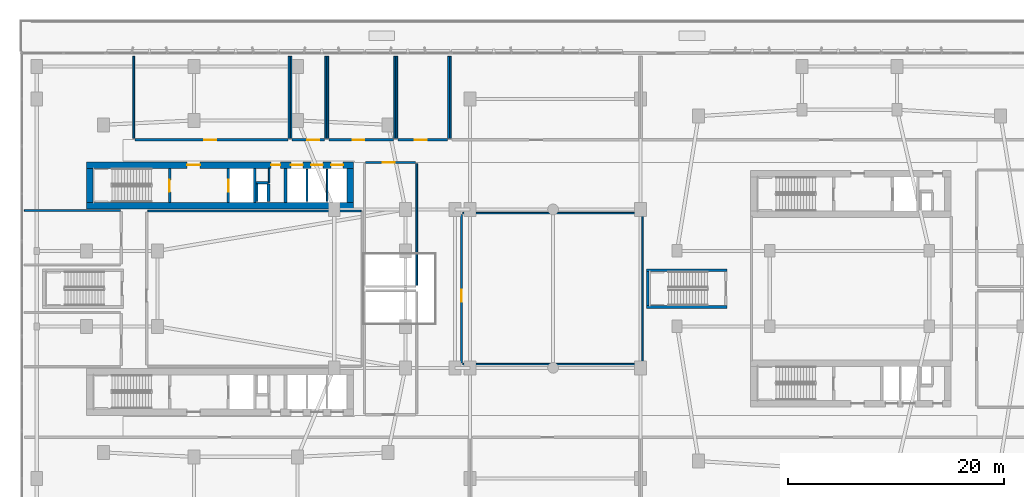
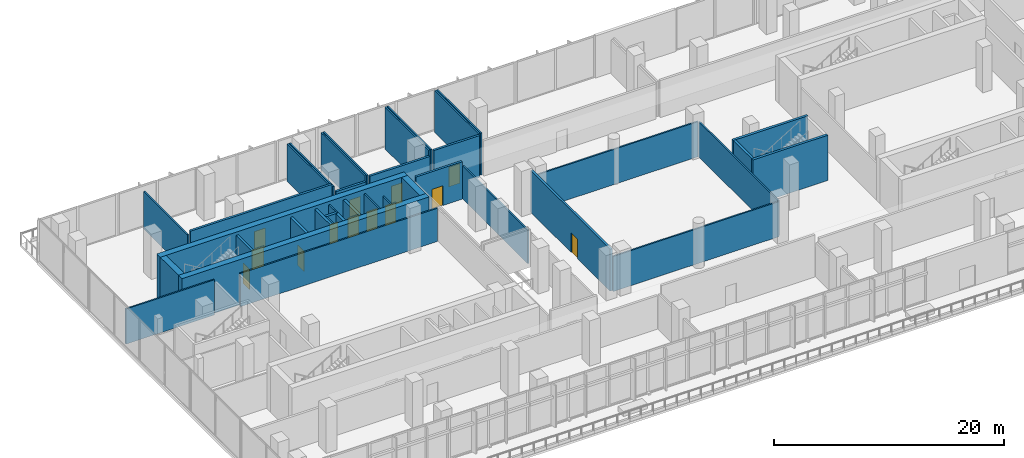
# One storey, part 13 of 30: 38 walls, 13 doors, 13 openings.
"""IFC4 building model written with IfcOpenShell, lengths in metres."""

import ifcopenshell
import ifcopenshell.guid

model = None  # the IFC model being written
_history = None  # IfcOwnerHistory: only IFC2X3 demands one
_inside = {}  # id of a spatial element -> (the spatial element, [elements in it])
_under = {}  # id of a project, library or spatial element -> (it, [spatial elements below it])
_declared = {}  # id of a project -> (the project, [libraries it declares])
_typed = {}  # id of a type object -> (the type object, [elements of that type])
_made_of = {}  # id of a material, layer set ... -> (it, [elements and type objects made of it])


def new_model(schema):
    """Start an empty IFC model of exactly this schema.

    Asked for "IFC4X3", IfcOpenShell would pick the latest addendum, in which some entities
    have other attributes; the version numbers below select the first issue.
    IFC2X3 requires an IfcOwnerHistory on every rooted entity: one is made here for all.
    """
    global model, _history
    if schema == "IFC4X3":
        model = ifcopenshell.file(schema_version=(4, 3, 0, 0))
    else:
        model = ifcopenshell.file(schema=schema)
    _inside.clear()
    _under.clear()
    _declared.clear()
    _typed.clear()
    _made_of.clear()
    _history = None
    if model.schema == "IFC2X3":
        org = make("IfcOrganization", Name="unknown")
        user = make(
            "IfcPersonAndOrganization",
            ThePerson=make("IfcPerson", FamilyName="unknown"),
            TheOrganization=org,
        )
        app = make(
            "IfcApplication",
            ApplicationDeveloper=org,
            Version="unknown",
            ApplicationFullName="unknown",
            ApplicationIdentifier="unknown",
        )
        _history = make(
            "IfcOwnerHistory",
            OwningUser=user,
            OwningApplication=app,
            ChangeAction="ADDED",
            CreationDate=0,
        )
    return model


def make(cls, **values):
    """One entity of the class cls with the attributes given. An attribute that is None is left unset."""
    return model.create_entity(
        cls, **{name: value for name, value in values.items() if value is not None}
    )


def rooted(cls, **values):
    """An entity with a GlobalId (a new one), such as an element, a storey or a relation."""
    return make(cls, GlobalId=ifcopenshell.guid.new(), OwnerHistory=_history, **values)


def si_unit(unit_type, name, prefix=None):
    """IfcSIUnit, for example si_unit("LENGTHUNIT", "METRE", prefix="MILLI")."""
    return make("IfcSIUnit", UnitType=unit_type, Prefix=prefix, Name=name)


def derived_unit(unit_type, elements):
    """IfcDerivedUnit: a product of units, each with its exponent."""
    return make(
        "IfcDerivedUnit",
        Elements=[
            make("IfcDerivedUnitElement", Unit=unit, Exponent=power)
            for unit, power in elements
        ],
        UnitType=unit_type,
    )


def assignment(units):
    """IfcUnitAssignment: the units of a project."""
    return None if units is None else make("IfcUnitAssignment", Units=units)


def point(xyz):
    """IfcCartesianPoint."""
    return None if xyz is None else make("IfcCartesianPoint", Coordinates=xyz)


def direction(xyz):
    """IfcDirection."""
    return None if xyz is None else make("IfcDirection", DirectionRatios=xyz)


def frame(location, z_axis=None, x_axis=None):
    """IfcAxis2Placement3D, a coordinate frame: its origin and axes. An axis left out is left unset."""
    return make(
        "IfcAxis2Placement3D",
        Location=point(location),
        Axis=direction(z_axis),
        RefDirection=direction(x_axis),
    )


def frame_2d(location, x_axis=None):
    """IfcAxis2Placement2D, a coordinate frame in the plane: its origin and x axis."""
    return make(
        "IfcAxis2Placement2D", Location=point(location), RefDirection=direction(x_axis)
    )


def origin():
    """The frame at (0, 0, 0) with its axes left unset."""
    return frame((0.0, 0.0, 0.0))


def place(relative_to, where):
    """IfcLocalPlacement: puts the frame where relative to a parent placement (None: the world)."""
    return make(
        "IfcLocalPlacement", PlacementRelTo=relative_to, RelativePlacement=where
    )


def context(
    kind, dimensions, precision=None, world=None, true_north=None, identifier=None
):
    """IfcGeometricRepresentationContext, for example the 3D "Model" context."""
    return make(
        "IfcGeometricRepresentationContext",
        ContextIdentifier=identifier,
        ContextType=kind,
        CoordinateSpaceDimension=dimensions,
        Precision=precision,
        WorldCoordinateSystem=world,
        TrueNorth=true_north,
    )


def subcontext(parent, identifier, kind, view, scale=None):
    """IfcGeometricRepresentationSubContext, for example "Body" below "Model"."""
    return make(
        "IfcGeometricRepresentationSubContext",
        ContextIdentifier=identifier,
        ContextType=kind,
        ParentContext=parent,
        TargetScale=scale,
        TargetView=view,
    )


def project(units=None, contexts=None):
    """IfcProject with its units and contexts."""
    return rooted(
        "IfcProject",
        Name="project",
        RepresentationContexts=contexts,
        UnitsInContext=assignment(units),
    )


def spatial(cls, under=None, at=None, **own):
    """A site, building, storey or space (cls), placed at a placement, below another one or the project."""
    s = rooted(cls, ObjectPlacement=at, **own)
    if under is not None:
        _under.setdefault(under.id(), (under, []))[1].append(s)
    return s


def profile(cls, at=None, kind="AREA", **sizes):
    """A parametric profile (cls). Its sizes go by their IFC names, for example OverallWidth=200.0."""
    return make(cls, ProfileType=kind, Position=at, **sizes)


def rectangle(**sizes):
    """IfcRectangleProfileDef."""
    return profile("IfcRectangleProfileDef", **sizes)


def extrude(swept, where, along, depth):
    """IfcExtrudedAreaSolid: the profile swept, set in the frame where, extruded along a direction by depth."""
    return make(
        "IfcExtrudedAreaSolid",
        SweptArea=swept,
        Position=where,
        ExtrudedDirection=direction(along),
        Depth=depth,
    )


def shape(context_of_items, identifier, shape_type, items):
    """IfcShapeRepresentation: the items that make up one representation, for example the "Body"."""
    return make(
        "IfcShapeRepresentation",
        ContextOfItems=context_of_items,
        RepresentationIdentifier=identifier,
        RepresentationType=shape_type,
        Items=items,
    )


def material(Name=None, Category=None):
    """IfcMaterial."""
    return make("IfcMaterial", Name=Name, Category=Category)


def layer(
    of_material, thickness, ventilated=None, Name=None, Category=None, Priority=None
):
    """IfcMaterialLayer: one layer of a wall or slab, of a material (None: an air gap)."""
    return make(
        "IfcMaterialLayer",
        Material=of_material,
        LayerThickness=thickness,
        IsVentilated=ventilated,
        Name=Name,
        Category=Category,
        Priority=Priority,
    )


def layer_set(layers, Name=None):
    """IfcMaterialLayerSet."""
    return make("IfcMaterialLayerSet", MaterialLayers=layers, LayerSetName=Name)


def made_of(thing, what):
    """Note that an element or type object is made of a material, layer set ...; save() writes the relation."""
    if what is not None:
        _made_of.setdefault(what.id(), (what, []))[1].append(thing)
    return thing


def type_object(cls, material=None, **own):
    """A type object (cls), such as IfcWallType, which elements share."""
    return made_of(rooted(cls, **own), material)


def element(
    cls,
    number,
    at=None,
    inside=None,
    cuts=None,
    type_object=None,
    material=None,
    context=None,
    identifier="Body",
    shape_type=None,
    held_by="IfcProductDefinitionShape",
    body=None,
    shapes=None,
    **own,
):
    """One element of the class cls, such as IfcWall. Its Tag is "e" and its number.

    at: its placement. inside: the storey or other place that contains it. cuts: it is an
    opening in that element (IfcRelVoidsElement). A single representation is given by context,
    identifier, shape_type and body (its items); several are given by shapes. held_by: the class
    of the entity that holds the representations. save() writes the other relations.
    """
    e = rooted(cls, Tag="e%d" % number, ObjectPlacement=at, **own)
    if body is not None:
        shapes = [shape(context, identifier, shape_type, body)]
    if shapes is not None:
        e.Representation = make(held_by, Representations=shapes)
    if inside is not None:
        _inside.setdefault(inside.id(), (inside, []))[1].append(e)
    if cuts is not None:
        rooted(
            "IfcRelVoidsElement", RelatingBuildingElement=cuts, RelatedOpeningElement=e
        )
    if type_object is not None:
        _typed.setdefault(type_object.id(), (type_object, []))[1].append(e)
    return made_of(e, material)


def fill(opening, filler):
    """IfcRelFillsElement: the door or window that sits in an opening."""
    return rooted(
        "IfcRelFillsElement",
        RelatingOpeningElement=opening,
        RelatedBuildingElement=filler,
    )


def aggregate(whole, parts):
    """IfcRelAggregates: a whole, such as a stair, and the parts it consists of."""
    return rooted("IfcRelAggregates", RelatingObject=whole, RelatedObjects=parts)


def save(model, path):
    """Write the relations noted so far, then the file.

    IfcRelAggregates (storeys below a building ...), IfcRelContainedInSpatialStructure (elements
    in a storey), IfcRelDefinesByType, IfcRelAssociatesMaterial and IfcRelDeclares: one each for
    every whole, place, type object, material and project.
    """
    for whole, parts in _under.values():
        aggregate(whole, parts)
    for where, things in _inside.values():
        rooted(
            "IfcRelContainedInSpatialStructure",
            RelatedElements=things,
            RelatingStructure=where,
        )
    for kind, things in _typed.values():
        rooted("IfcRelDefinesByType", RelatedObjects=things, RelatingType=kind)
    for what, things in _made_of.values():
        rooted("IfcRelAssociatesMaterial", RelatedObjects=things, RelatingMaterial=what)
    for by, libraries in _declared.values():
        rooted("IfcRelDeclares", RelatingContext=by, RelatedDefinitions=libraries)
    model.write(path)


model = new_model("IFC4")

# Units and contexts
model_context = context("Model", 3, precision=1e-05, world=origin(), true_north=direction((0.0, 1.0)))
body_context = subcontext(model_context, "Body", "Model", "MODEL_VIEW")
ifc_project = project(units=[si_unit("LENGTHUNIT", "METRE"), si_unit("AREAUNIT", "SQUARE_METRE"), si_unit("VOLUMEUNIT", "CUBIC_METRE"), si_unit("PLANEANGLEUNIT", "RADIAN"), si_unit("MASSUNIT", "GRAM", prefix="KILO"), derived_unit("THERMALTRANSMITTANCEUNIT", [(si_unit("POWERUNIT", "WATT"), 1), (si_unit("LENGTHUNIT", "METRE"), -2), (si_unit("THERMODYNAMICTEMPERATUREUNIT", "KELVIN"), -1)])], contexts=[model_context])

# Site, building, storey
site_placement = place(None, origin())
site = spatial("IfcSite", under=ifc_project, at=site_placement, CompositionType="ELEMENT")
building_placement = place(site_placement, origin())
building = spatial("IfcBuilding", under=site, at=building_placement, Name="Kivonza Crest Hotel", CompositionType="ELEMENT")
storey_placement = place(building_placement, frame((0.0, 0.0, 10.199951171875)))
storey = spatial("IfcBuildingStorey", under=building, at=storey_placement, Name="L02", CompositionType="ELEMENT", Elevation=10.199951171875)

# Wall, opening, door
ifc_material_1 = material(Name="Autoclaved aerated concrete blockwork", Category="masonry")
ifc_layer_1 = layer(ifc_material_1, 0.219970703125)
ifc_layer_set_1 = layer_set([ifc_layer_1], Name="Autoclaved aerated concrete blockwork")
wall_type_1 = type_object("IfcWallType", Name="WL-ACOU-220", PredefinedType="SOLIDWALL", material=ifc_layer_set_1)
wall_1_placement = place(storey_placement, frame((10.699951171875, 38.800048828125, 0.0), z_axis=(0.0, 0.0, 1.0), x_axis=(1.0, 0.0, 0.0)))
wall_1 = element("IfcWall", 1, at=wall_1_placement, inside=storey, type_object=wall_type_1, Name="L02 interior partition WA-L02-BAL-PAN-S", PredefinedType="SOLIDWALL", context=body_context, shape_type="SweptSolid", body=[
    extrude(rectangle(XDim=14.199951171875, YDim=0.219970703125, at=frame_2d((7.10009765625, 0.0))), origin(), (0.0, 0.0, 1.0), 4.449951171875),
])
opening_1_placement = place(wall_1_placement, frame((6.445068359375, 0.0, 0.0)))
opening_1 = element("IfcOpeningElement", 2, at=opening_1_placement, cuts=wall_1, Name="Opening DF-60M", PredefinedType="OPENING", context=body_context, shape_type="SweptSolid", body=[
    extrude(rectangle(XDim=1.10009765625, YDim=2.10009765625, at=frame_2d((0.550048828125, 1.050048828125))), frame((0.0, 0.1201171875, 0.0), z_axis=(0.0, -1.0, 0.0), x_axis=(1.0, 0.0, 0.0)), (0.0, 0.0, 1.0), 0.239990234375),
])
ifc_material_2 = material(Name="Hardwood timber oak", Category="wood")
door_type_1 = type_object("IfcDoorType", Name="DR-FD60-1100", OperationType="NOTDEFINED", PredefinedType="DOOR", material=ifc_material_2)
door_1_placement = place(opening_1_placement, origin())
door_1 = element("IfcDoor", 3, at=door_1_placement, inside=storey, type_object=door_type_1, Name="L02 Banquet Finishing Kitchen door", OperationType="SINGLE_SWING_LEFT", OverallHeight=2.10009765625, OverallWidth=1.10009765625, PredefinedType="DOOR", context=body_context, shape_type="SweptSolid", body=[
    extrude(rectangle(XDim=1.10009765625, YDim=2.10009765625, at=frame_2d((0.550048828125, 1.050048828125))), frame((0.0, 0.02490234375, 0.0), z_axis=(0.0, -1.0, 0.0), x_axis=(1.0, 0.0, 0.0)), (0.0, 0.0, 1.0), 0.050048828125),
])
fill(opening_1, door_1)

wall_2_placement = place(storey_placement, frame((41.0, 18.10009765625, 0.0), z_axis=(0.0, 0.0, 1.0), x_axis=(0.0, 1.0, 0.0)))
wall_2 = element("IfcWall", 4, at=wall_2_placement, inside=storey, type_object=wall_type_1, Name="L02 interior partition WA-L02-VIP-BRD-W", PredefinedType="SOLIDWALL", context=body_context, shape_type="SweptSolid", body=[
    extrude(rectangle(XDim=13.7998046875, YDim=0.219970703125, at=frame_2d((6.89990234375, 0.0))), origin(), (0.0, 0.0, 1.0), 4.449951171875),
])
opening_2_placement = place(wall_2_placement, frame((5.705078125, 0.0, 0.0)))
opening_2 = element("IfcOpeningElement", 5, at=opening_2_placement, cuts=wall_2, Name="Opening DF-60M", PredefinedType="OPENING", context=body_context, shape_type="SweptSolid", body=[
    extrude(rectangle(XDim=1.10009765625, YDim=2.10009765625, at=frame_2d((0.550048828125, 1.050048828125))), frame((0.0, 0.1201171875, 0.0), z_axis=(0.0, -1.0, 0.0), x_axis=(1.0, 0.0, 0.0)), (0.0, 0.0, 1.0), 0.239990234375),
])
door_2_placement = place(opening_2_placement, frame((1.10009765625, 0.0, 0.0), z_axis=(0.0, 0.0, 1.0), x_axis=(-1.0, 0.0, 0.0)))
door_2 = element("IfcDoor", 6, at=door_2_placement, inside=storey, type_object=door_type_1, Name="L02 VIP Bridal and Green Boardroom door", OperationType="SINGLE_SWING_RIGHT", OverallHeight=2.10009765625, OverallWidth=1.10009765625, PredefinedType="DOOR", context=body_context, shape_type="SweptSolid", body=[
    extrude(rectangle(XDim=1.10009765625, YDim=2.10009765625, at=frame_2d((0.550048828125, 1.050048828125))), frame((0.0, 0.02490234375, 0.0), z_axis=(0.0, -1.0, 0.0), x_axis=(1.0, 0.0, 0.0)), (0.0, 0.0, 1.0), 0.050048828125),
])
fill(opening_2, door_2)

wall_3_placement = place(storey_placement, frame((25.300048828125, 38.800048828125, 0.0), z_axis=(0.0, 0.0, 1.0), x_axis=(1.0, 0.0, 0.0)))
wall_3 = element("IfcWall", 7, at=wall_3_placement, inside=storey, type_object=wall_type_1, Name="L02 interior partition WA-L02-AWC-S", PredefinedType="SOLIDWALL", context=body_context, shape_type="SweptSolid", body=[
    extrude(rectangle(XDim=3.0, YDim=0.219970703125, at=frame_2d((1.5, 0.0))), origin(), (0.0, 0.0, 1.0), 3.525146484375),
])
opening_3_placement = place(wall_3_placement, frame((1.405029296875, 0.0, 0.0)))
opening_3 = element("IfcOpeningElement", 8, at=opening_3_placement, cuts=wall_3, Name="Opening DF-60M", PredefinedType="OPENING", context=body_context, shape_type="SweptSolid", body=[
    extrude(rectangle(XDim=1.10009765625, YDim=2.10009765625, at=frame_2d((0.550048828125, 1.050048828125))), frame((0.0, 0.1201171875, 0.0), z_axis=(0.0, -1.0, 0.0), x_axis=(1.0, 0.0, 0.0)), (0.0, 0.0, 1.0), 0.239990234375),
])
door_3_placement = place(opening_3_placement, origin())
door_3 = element("IfcDoor", 9, at=door_3_placement, inside=storey, type_object=door_type_1, Name="L02 L02 Public Accessible WC door", OperationType="SINGLE_SWING_RIGHT", OverallHeight=2.10009765625, OverallWidth=1.10009765625, PredefinedType="DOOR", context=body_context, shape_type="SweptSolid", body=[
    extrude(rectangle(XDim=1.10009765625, YDim=2.10009765625, at=frame_2d((0.550048828125, 1.050048828125))), frame((0.0, 0.02490234375, 0.0), z_axis=(0.0, -1.0, 0.0), x_axis=(1.0, 0.0, 0.0)), (0.0, 0.0, 1.0), 0.050048828125),
])
fill(opening_3, door_3)

wall_4_placement = place(storey_placement, frame((28.699951171875, 38.800048828125, 0.0), z_axis=(0.0, 0.0, 1.0), x_axis=(1.0, 0.0, 0.0)))
wall_4 = element("IfcWall", 10, at=wall_4_placement, inside=storey, type_object=wall_type_1, Name="L02 interior partition WA-L02-MWC-S", PredefinedType="SOLIDWALL", context=body_context, shape_type="SweptSolid", body=[
    extrude(rectangle(XDim=6.0, YDim=0.219970703125, at=frame_2d((3.0, 0.0))), origin(), (0.0, 0.0, 1.0), 3.97509765625),
])
opening_4_placement = place(wall_4_placement, frame((2.195068359375, 0.0, 0.0)))
opening_4 = element("IfcOpeningElement", 11, at=opening_4_placement, cuts=wall_4, Name="Opening DF-60M", PredefinedType="OPENING", context=body_context, shape_type="SweptSolid", body=[
    extrude(rectangle(XDim=1.10009765625, YDim=2.10009765625, at=frame_2d((0.550048828125, 1.050048828125))), frame((0.0, 0.1201171875, 0.0), z_axis=(0.0, -1.0, 0.0), x_axis=(1.0, 0.0, 0.0)), (0.0, 0.0, 1.0), 0.239990234375),
])
door_4_placement = place(opening_4_placement, origin())
door_4 = element("IfcDoor", 12, at=door_4_placement, inside=storey, type_object=door_type_1, Name="L02 L02 Public Male WC door", OperationType="SINGLE_SWING_LEFT", OverallHeight=2.10009765625, OverallWidth=1.10009765625, PredefinedType="DOOR", context=body_context, shape_type="SweptSolid", body=[
    extrude(rectangle(XDim=1.10009765625, YDim=2.10009765625, at=frame_2d((0.550048828125, 1.050048828125))), frame((0.0, 0.02490234375, 0.0), z_axis=(0.0, -1.0, 0.0), x_axis=(1.0, 0.0, 0.0)), (0.0, 0.0, 1.0), 0.050048828125),
])
fill(opening_4, door_4)

wall_5_placement = place(storey_placement, frame((35.10009765625, 38.800048828125, 0.0), z_axis=(0.0, 0.0, 1.0), x_axis=(1.0, 0.0, 0.0)))
wall_5 = element("IfcWall", 13, at=wall_5_placement, inside=storey, type_object=wall_type_1, Name="L02 interior partition WA-L02-FWC-S", PredefinedType="SOLIDWALL", context=body_context, shape_type="SweptSolid", body=[
    extrude(rectangle(XDim=4.599853515625, YDim=0.219970703125, at=frame_2d((2.2998046875, 0.0))), origin(), (0.0, 0.0, 1.0), 4.449951171875),
])
opening_5_placement = place(wall_5_placement, frame((1.56494140625, 0.0, 0.0)))
opening_5 = element("IfcOpeningElement", 14, at=opening_5_placement, cuts=wall_5, Name="Opening DF-60M", PredefinedType="OPENING", context=body_context, shape_type="SweptSolid", body=[
    extrude(rectangle(XDim=1.10009765625, YDim=2.10009765625, at=frame_2d((0.550048828125, 1.050048828125))), frame((0.0, 0.1201171875, 0.0), z_axis=(0.0, -1.0, 0.0), x_axis=(1.0, 0.0, 0.0)), (0.0, 0.0, 1.0), 0.239990234375),
])
door_5_placement = place(opening_5_placement, origin())
door_5 = element("IfcDoor", 15, at=door_5_placement, inside=storey, type_object=door_type_1, Name="L02 L02 Public Female WC door", OperationType="SINGLE_SWING_RIGHT", OverallHeight=2.10009765625, OverallWidth=1.10009765625, PredefinedType="DOOR", context=body_context, shape_type="SweptSolid", body=[
    extrude(rectangle(XDim=1.10009765625, YDim=2.10009765625, at=frame_2d((0.550048828125, 1.050048828125))), frame((0.0, 0.02490234375, 0.0), z_axis=(0.0, -1.0, 0.0), x_axis=(1.0, 0.0, 0.0)), (0.0, 0.0, 1.0), 0.050048828125),
])
fill(opening_5, door_5)

wall_6_placement = place(storey_placement, frame((32.10009765625, 36.699951171875, 0.0), z_axis=(0.0, 0.0, 1.0), x_axis=(1.0, 0.0, 0.0)))
wall_6 = element("IfcWall", 16, at=wall_6_placement, inside=storey, type_object=wall_type_1, Name="L02 interior partition WA-L02-BAL-GRN2-N", PredefinedType="SOLIDWALL", context=body_context, shape_type="SweptSolid", body=[
    extrude(rectangle(XDim=4.64990234375, YDim=0.219970703125, at=frame_2d((2.324951171875, 0.0))), origin(), (0.0, 0.0, 1.0), 3.97509765625),
])
opening_6_placement = place(wall_6_placement, frame((1.587890625, 0.0, 0.0)))
opening_6 = element("IfcOpeningElement", 17, at=opening_6_placement, cuts=wall_6, Name="Opening DF-60M", PredefinedType="OPENING", context=body_context, shape_type="SweptSolid", body=[
    extrude(rectangle(XDim=1.10009765625, YDim=2.10009765625, at=frame_2d((0.550048828125, 1.050048828125))), frame((0.0, 0.1201171875, 0.0), z_axis=(0.0, -1.0, 0.0), x_axis=(1.0, 0.0, 0.0)), (0.0, 0.0, 1.0), 0.239990234375),
])
door_6_placement = place(opening_6_placement, frame((1.10009765625, 0.0, 0.0), z_axis=(0.0, 0.0, 1.0), x_axis=(-1.0, 0.0, 0.0)))
door_6 = element("IfcDoor", 18, at=door_6_placement, inside=storey, type_object=door_type_1, Name="L02 Ballroom Green Salon North door", OperationType="SINGLE_SWING_RIGHT", OverallHeight=2.10009765625, OverallWidth=1.10009765625, PredefinedType="DOOR", context=body_context, shape_type="SweptSolid", body=[
    extrude(rectangle(XDim=1.10009765625, YDim=2.10009765625, at=frame_2d((0.550048828125, 1.050048828125))), frame((0.0, 0.02490234375, 0.0), z_axis=(0.0, -1.0, 0.0), x_axis=(1.0, 0.0, 0.0)), (0.0, 0.0, 1.0), 0.050048828125),
])
fill(opening_6, door_6)

# Wall
ifc_material_3 = material(Name="Concrete C60/75", Category="concrete")
ifc_layer_2 = layer(ifc_material_3, 0.60009765625)
ifc_layer_set_2 = layer_set([ifc_layer_2], Name="Concrete C60/75")
wall_type_2 = type_object("IfcWallType", Name="WL-CORE-600", PredefinedType="SHEAR", material=ifc_layer_set_2)
wall_7_placement = place(storey_placement, frame((6.199951171875, 32.699951171875, 0.0), z_axis=(0.0, 0.0, 1.0), x_axis=(1.0, 0.0, 0.0)))
element("IfcWall", 19, at=wall_7_placement, inside=storey, type_object=wall_type_2, Name="Core wall T1-N South L02", PredefinedType="SHEAR", context=body_context, shape_type="SweptSolid", body=[
    extrude(rectangle(XDim=24.800048828125, YDim=0.60009765625, at=frame_2d((12.39990234375, 0.0))), origin(), (0.0, 0.0, 1.0), 4.800048828125),
])

# Wall, openings, doors
wall_8_placement = place(storey_placement, frame((6.199951171875, 36.4599609375, 0.0), z_axis=(0.0, 0.0, 1.0), x_axis=(1.0, 0.0, 0.0)))
wall_8 = element("IfcWall", 20, at=wall_8_placement, inside=storey, type_object=wall_type_2, Name="Core wall T1-N North L02", PredefinedType="SHEAR", context=body_context, shape_type="SweptSolid", body=[
    extrude(rectangle(XDim=24.800048828125, YDim=0.60009765625, at=frame_2d((12.39990234375, 0.0))), origin(), (0.0, 0.0, 1.0), 4.800048828125),
])
opening_7_placement = place(wall_8_placement, frame((9.35009765625, 0.0, 0.0)))
opening_7 = element("IfcOpeningElement", 21, at=opening_7_placement, cuts=wall_8, Name="Opening DF-60", PredefinedType="OPENING", context=body_context, shape_type="SweptSolid", body=[
    extrude(rectangle(XDim=1.199951171875, YDim=2.14990234375, at=frame_2d((0.60009765625, 1.074951171875))), frame((0.0, 0.31005859375, 0.0), z_axis=(0.0, -1.0, 0.0), x_axis=(1.0, 0.0, 0.0)), (0.0, 0.0, 1.0), 0.6201171875),
])
opening_8_placement = place(wall_8_placement, frame((17.139892578125, 0.0, 0.0)))
opening_8 = element("IfcOpeningElement", 22, at=opening_8_placement, cuts=wall_8, Name="Opening DF-60R", PredefinedType="OPENING", context=body_context, shape_type="SweptSolid", body=[
    extrude(rectangle(XDim=0.85009765625, YDim=2.10009765625, at=frame_2d((0.425048828125, 1.050048828125))), frame((0.0, 0.31005859375, 0.0), z_axis=(0.0, -1.0, 0.0), x_axis=(1.0, 0.0, 0.0)), (0.0, 0.0, 1.0), 0.6201171875),
])
opening_9_placement = place(wall_8_placement, frame((18.98291015625, 0.0, 0.0)))
opening_9 = element("IfcOpeningElement", 23, at=opening_9_placement, cuts=wall_8, Name="Opening LD-120", PredefinedType="OPENING", context=body_context, shape_type="SweptSolid", body=[
    extrude(rectangle(XDim=1.10009765625, YDim=2.14990234375, at=frame_2d((0.550048828125, 1.074951171875))), frame((0.0, 0.31005859375, 0.0), z_axis=(0.0, -1.0, 0.0), x_axis=(1.0, 0.0, 0.0)), (0.0, 0.0, 1.0), 0.6201171875),
])
opening_10_placement = place(wall_8_placement, frame((20.85009765625, 0.0, 0.0)))
opening_10 = element("IfcOpeningElement", 24, at=opening_10_placement, cuts=wall_8, Name="Opening LD-120", PredefinedType="OPENING", context=body_context, shape_type="SweptSolid", body=[
    extrude(rectangle(XDim=1.10009765625, YDim=2.14990234375, at=frame_2d((0.550048828125, 1.074951171875))), frame((0.0, 0.31005859375, 0.0), z_axis=(0.0, -1.0, 0.0), x_axis=(1.0, 0.0, 0.0)), (0.0, 0.0, 1.0), 0.6201171875),
])
opening_11_placement = place(wall_8_placement, frame((22.716064453125, 0.0, 0.0)))
opening_11 = element("IfcOpeningElement", 25, at=opening_11_placement, cuts=wall_8, Name="Opening LD-120", PredefinedType="OPENING", context=body_context, shape_type="SweptSolid", body=[
    extrude(rectangle(XDim=1.10009765625, YDim=2.14990234375, at=frame_2d((0.550048828125, 1.074951171875))), frame((0.0, 0.31005859375, 0.0), z_axis=(0.0, -1.0, 0.0), x_axis=(1.0, 0.0, 0.0)), (0.0, 0.0, 1.0), 0.6201171875),
])
door_type_2 = type_object("IfcDoorType", Name="DR-FD60-1200", OperationType="NOTDEFINED", PredefinedType="DOOR", material=ifc_material_2)
door_7_placement = place(opening_7_placement, origin())
door_7 = element("IfcDoor", 26, at=door_7_placement, inside=storey, type_object=door_type_2, Name="L02 T1-N firefighting lobby fire door", OperationType="SINGLE_SWING_RIGHT", OverallHeight=2.14990234375, OverallWidth=1.199951171875, PredefinedType="DOOR", context=body_context, shape_type="SweptSolid", body=[
    extrude(rectangle(XDim=1.199951171875, YDim=2.14990234375, at=frame_2d((0.60009765625, 1.074951171875))), frame((0.0, 0.02490234375, 0.0), z_axis=(0.0, -1.0, 0.0), x_axis=(1.0, 0.0, 0.0)), (0.0, 0.0, 1.0), 0.050048828125),
])
fill(opening_7, door_7)
door_type_3 = type_object("IfcDoorType", Name="DR-FD60-850", OperationType="NOTDEFINED", PredefinedType="DOOR", material=ifc_material_2)
door_8_placement = place(opening_8_placement, origin())
door_8 = element("IfcDoor", 27, at=door_8_placement, inside=storey, type_object=door_type_3, Name="L02 T1-N core room door", OperationType="SINGLE_SWING_RIGHT", OverallHeight=2.10009765625, OverallWidth=0.85009765625, PredefinedType="DOOR", context=body_context, shape_type="SweptSolid", body=[
    extrude(rectangle(XDim=0.85009765625, YDim=2.10009765625, at=frame_2d((0.425048828125, 1.050048828125))), frame((0.0, 0.02490234375, 0.0), z_axis=(0.0, -1.0, 0.0), x_axis=(1.0, 0.0, 0.0)), (0.0, 0.0, 1.0), 0.050048828125),
])
fill(opening_8, door_8)
ifc_material_4 = material(Name="Stainless steel", Category="steel")
door_type_4 = type_object("IfcDoorType", Name="DR-LD120-1100", OperationType="NOTDEFINED", PredefinedType="DOOR", material=ifc_material_4)
door_9_placement = place(opening_9_placement, origin())
door_9 = element("IfcDoor", 28, at=door_9_placement, inside=storey, type_object=door_type_4, Name="L02 PL-T1-L1 passenger lift sliding landing door", OperationType="DOUBLE_DOOR_SLIDING", OverallHeight=2.14990234375, OverallWidth=1.10009765625, PredefinedType="DOOR", context=body_context, shape_type="SweptSolid", body=[
    extrude(rectangle(XDim=1.10009765625, YDim=2.14990234375, at=frame_2d((0.550048828125, 1.074951171875))), frame((0.0, 0.02490234375, 0.0), z_axis=(0.0, -1.0, 0.0), x_axis=(1.0, 0.0, 0.0)), (0.0, 0.0, 1.0), 0.050048828125),
])
fill(opening_9, door_9)
door_10_placement = place(opening_10_placement, origin())
door_10 = element("IfcDoor", 29, at=door_10_placement, inside=storey, type_object=door_type_4, Name="L02 PL-T1-L2 passenger lift sliding landing door", OperationType="DOUBLE_DOOR_SLIDING", OverallHeight=2.14990234375, OverallWidth=1.10009765625, PredefinedType="DOOR", context=body_context, shape_type="SweptSolid", body=[
    extrude(rectangle(XDim=1.10009765625, YDim=2.14990234375, at=frame_2d((0.550048828125, 1.074951171875))), frame((0.0, 0.02490234375, 0.0), z_axis=(0.0, -1.0, 0.0), x_axis=(1.0, 0.0, 0.0)), (0.0, 0.0, 1.0), 0.050048828125),
])
fill(opening_10, door_10)
door_11_placement = place(opening_11_placement, origin())
door_11 = element("IfcDoor", 30, at=door_11_placement, inside=storey, type_object=door_type_4, Name="L02 PL-T1-L3 passenger lift sliding landing door", OperationType="DOUBLE_DOOR_SLIDING", OverallHeight=2.14990234375, OverallWidth=1.10009765625, PredefinedType="DOOR", context=body_context, shape_type="SweptSolid", body=[
    extrude(rectangle(XDim=1.10009765625, YDim=2.14990234375, at=frame_2d((0.550048828125, 1.074951171875))), frame((0.0, 0.02490234375, 0.0), z_axis=(0.0, -1.0, 0.0), x_axis=(1.0, 0.0, 0.0)), (0.0, 0.0, 1.0), 0.050048828125),
])
fill(opening_11, door_11)

# Walls
for number, where, z_axis, x_axis, name in (
    (31, (6.5, 33.0, 0.0), (0.0, 0.0, 1.0), (0.0, 1.0, 0.0), "Core wall T1-N West L02"),
    (32, (30.699951171875, 33.0, 0.0), (0.0, 0.0, 1.0), (0.0, 1.0, 0.0), "Core wall T1-N East L02"),
):
    element("IfcWall", number, at=place(storey_placement, frame(where, z_axis=z_axis, x_axis=x_axis)), inside=storey, type_object=wall_type_2, Name=name, PredefinedType="SHEAR", context=body_context, shape_type="SweptSolid", body=[
        extrude(rectangle(XDim=3.159912109375, YDim=0.60009765625, at=frame_2d((1.580078125, 0.0))), origin(), (0.0, 0.0, 1.0), 4.800048828125),
    ])
ifc_material_5 = material(Name="Concrete blockwork fire-compartment wall", Category="masonry")
ifc_layer_3 = layer(ifc_material_5, 0.25)
ifc_layer_set_3 = layer_set([ifc_layer_3], Name="Concrete blockwork fire-compartment wall")
wall_type_3 = type_object("IfcWallType", Name="WL-FIRE-250", PredefinedType="SOLIDWALL", material=ifc_layer_set_3)
wall_9_placement = place(storey_placement, frame((23.10009765625, 33.10009765625, 0.0), z_axis=(0.0, 0.0, 1.0), x_axis=(0.0, 1.0, 0.0)))
element("IfcWall", 33, at=wall_9_placement, inside=storey, type_object=wall_type_3, Name="L02 interior partition WA-L02-T1-N-MEPR-E", PredefinedType="SOLIDWALL", context=body_context, shape_type="SweptSolid", body=[
    extrude(rectangle(XDim=1.619873046875, YDim=0.25, at=frame_2d((0.81005859375, 0.0))), origin(), (0.0, 0.0, 1.0), 4.449951171875),
])
wall_10_placement = place(storey_placement, frame((21.949951171875, 34.820068359375, 0.0), z_axis=(0.0, 0.0, 1.0), x_axis=(1.0, 0.0, 0.0)))
element("IfcWall", 34, at=wall_10_placement, inside=storey, type_object=wall_type_3, Name="L02 interior partition WA-L02-T1-N-MEPR-H", PredefinedType="SOLIDWALL", context=body_context, shape_type="SweptSolid", body=[
    extrude(rectangle(XDim=1.150146484375, YDim=0.25, at=frame_2d((0.5751953125, 0.0))), origin(), (0.0, 0.0, 1.0), 4.449951171875),
])
ifc_material_6 = material(Name="Metal-stud gypsum board partition", Category="gypsum")
ifc_layer_4 = layer(ifc_material_6, 0.125)
ifc_layer_set_4 = layer_set([ifc_layer_4], Name="Metal-stud gypsum board partition")
wall_type_4 = type_object("IfcWallType", Name="WL-PART-125", PredefinedType="PARTITIONING", material=ifc_layer_set_4)
wall_11_placement = place(storey_placement, frame((23.159912109375, 34.820068359375, 0.0), z_axis=(0.0, 0.0, 1.0), x_axis=(0.0, 1.0, 0.0)))
element("IfcWall", 35, at=wall_11_placement, inside=storey, type_object=wall_type_4, Name="L02 interior partition WP-L02-T1-N-SV1V", PredefinedType="PARTITIONING", context=body_context, shape_type="SweptSolid", body=[
    extrude(rectangle(XDim=1.33984375, YDim=0.125, at=frame_2d((0.669921875, 0.0))), origin(), (0.0, 0.0, 1.0), 4.449951171875),
])
ifc_material_7 = material(Name="Twin-stud acoustic gypsum board partition", Category="gypsum")
ifc_layer_5 = layer(ifc_material_7, 0.14990234375)
ifc_layer_set_5 = layer_set([ifc_layer_5], Name="Twin-stud acoustic gypsum board partition")
wall_type_5 = type_object("IfcWallType", Name="WL-PART-150", PredefinedType="PARTITIONING", material=ifc_layer_set_5)
wall_12_placement = place(storey_placement, frame((22.030029296875, 33.10009765625, 0.0), z_axis=(0.0, 0.0, 1.0), x_axis=(0.0, 1.0, 0.0)))
element("IfcWall", 36, at=wall_12_placement, inside=storey, type_object=wall_type_5, Name="L02 interior partition WA-L02-T1-N-MEPR-W", PredefinedType="PARTITIONING", context=body_context, shape_type="SweptSolid", body=[
    extrude(rectangle(XDim=1.619873046875, YDim=0.14990234375, at=frame_2d((0.81005859375, 0.0))), origin(), (0.0, 0.0, 1.0), 4.449951171875),
])
wall_13_placement = place(storey_placement, frame((26.6669921875, 33.10009765625, 0.0), z_axis=(0.0, 0.0, 1.0), x_axis=(0.0, 1.0, 0.0)))
element("IfcWall", 37, at=wall_13_placement, inside=storey, type_object=wall_type_5, Name="L02 interior partition WP-L02-T1-N-BSH-1", PredefinedType="PARTITIONING", context=body_context, shape_type="SweptSolid", body=[
    extrude(rectangle(XDim=2.9599609375, YDim=0.14990234375, at=frame_2d((1.47998046875, 0.0))), origin(), (0.0, 0.0, 1.0), 4.449951171875),
])
wall_14_placement = place(storey_placement, frame((28.532958984375, 33.10009765625, 0.0), z_axis=(0.0, 0.0, 1.0), x_axis=(0.0, 1.0, 0.0)))
element("IfcWall", 38, at=wall_14_placement, inside=storey, type_object=wall_type_5, Name="L02 interior partition WP-L02-T1-N-BSH-2", PredefinedType="PARTITIONING", context=body_context, shape_type="SweptSolid", body=[
    extrude(rectangle(XDim=2.9599609375, YDim=0.14990234375, at=frame_2d((1.47998046875, 0.0))), origin(), (0.0, 0.0, 1.0), 3.525146484375),
])
wall_15_placement = place(storey_placement, frame((11.89990234375, 32.199951171875, 0.0), z_axis=(0.0, 0.0, 1.0), x_axis=(1.0, 0.0, 0.0)))
element("IfcWall", 39, at=wall_15_placement, inside=storey, type_object=wall_type_5, Name="L02 interior partition WP-L02-BALLRM-BN", PredefinedType="PARTITIONING", context=body_context, shape_type="SweptSolid", body=[
    extrude(rectangle(XDim=19.800048828125, YDim=0.14990234375, at=frame_2d((9.89990234375, 0.0))), origin(), (0.0, 0.0, 1.0), 3.525146484375),
])
for number, where, z_axis, x_axis, name in (
    (40, (10.60009765625, 38.949951171875, 0.0), (0.0, 0.0, 1.0), (0.0, 1.0, 0.0), "L02 interior partition WP-L02-BAL-PAN-BW"),
    (41, (25.0, 38.949951171875, 0.0), (0.0, 0.0, 1.0), (0.0, 1.0, 0.0), "L02 interior partition WP-L02-BAL-PAN-BE"),
):
    element("IfcWall", number, at=place(storey_placement, frame(where, z_axis=z_axis, x_axis=x_axis)), inside=storey, type_object=wall_type_5, Name=name, PredefinedType="PARTITIONING", context=body_context, shape_type="SweptSolid", body=[
        extrude(rectangle(XDim=7.60009765625, YDim=0.14990234375, at=frame_2d((3.800048828125, 0.0))), origin(), (0.0, 0.0, 1.0), 3.97509765625),
    ])
wall_16_placement = place(storey_placement, frame((40.0, 38.949951171875, 0.0), z_axis=(0.0, 0.0, 1.0), x_axis=(0.0, 1.0, 0.0)))
element("IfcWall", 42, at=wall_16_placement, inside=storey, type_object=wall_type_5, Name="L02 interior partition WP-L02-NTH-SAL1-BW", PredefinedType="PARTITIONING", context=body_context, shape_type="SweptSolid", body=[
    extrude(rectangle(XDim=7.60009765625, YDim=0.14990234375, at=frame_2d((3.800048828125, 0.0))), origin(), (0.0, 0.0, 1.0), 4.449951171875),
])
wall_17_placement = place(storey_placement, frame((57.800048828125, 18.10009765625, 0.0), z_axis=(0.0, 0.0, 1.0), x_axis=(0.0, 1.0, 0.0)))
element("IfcWall", 43, at=wall_17_placement, inside=storey, type_object=wall_type_5, Name="L02 interior partition WP-L02-VIP-BRD-BE", PredefinedType="PARTITIONING", context=body_context, shape_type="SweptSolid", body=[
    extrude(rectangle(XDim=13.7998046875, YDim=0.14990234375, at=frame_2d((6.89990234375, 0.0))), origin(), (0.0, 0.0, 1.0), 3.72509765625),
])
for number, where, z_axis, x_axis, name in (
    (44, (41.10009765625, 18.0, 0.0), (0.0, 0.0, 1.0), (1.0, 0.0, 0.0), "L02 interior partition WP-L02-VIP-BRD-BS"),
    (45, (41.10009765625, 32.0, 0.0), (0.0, 0.0, 1.0), (1.0, 0.0, 0.0), "L02 interior partition WP-L02-VIP-BRD-BN"),
):
    element("IfcWall", number, at=place(storey_placement, frame(where, z_axis=z_axis, x_axis=x_axis)), inside=storey, type_object=wall_type_5, Name=name, PredefinedType="PARTITIONING", context=body_context, shape_type="SweptSolid", body=[
        extrude(rectangle(XDim=16.599853515625, YDim=0.14990234375, at=frame_2d((8.2998046875, 0.0))), origin(), (0.0, 0.0, 1.0), 3.72509765625),
    ])
for number, where, z_axis, x_axis, name in (
    (46, (25.199951171875, 38.949951171875, 0.0), (0.0, 0.0, 1.0), (0.0, 1.0, 0.0), "L02 interior partition WP-L02-AWC-BW"),
    (47, (28.39990234375, 38.949951171875, 0.0), (0.0, 0.0, 1.0), (0.0, 1.0, 0.0), "L02 interior partition WP-L02-AWC-BE"),
    (48, (28.60009765625, 38.949951171875, 0.0), (0.0, 0.0, 1.0), (0.0, 1.0, 0.0), "L02 interior partition WP-L02-MWC-BW"),
):
    element("IfcWall", number, at=place(storey_placement, frame(where, z_axis=z_axis, x_axis=x_axis)), inside=storey, type_object=wall_type_5, Name=name, PredefinedType="PARTITIONING", context=body_context, shape_type="SweptSolid", body=[
        extrude(rectangle(XDim=7.60009765625, YDim=0.14990234375, at=frame_2d((3.800048828125, 0.0))), origin(), (0.0, 0.0, 1.0), 3.97509765625),
    ])
for number, where, z_axis, x_axis, name in (
    (49, (34.800048828125, 38.949951171875, 0.0), (0.0, 0.0, 1.0), (0.0, 1.0, 0.0), "L02 interior partition WP-L02-MWC-BE"),
    (50, (35.0, 38.949951171875, 0.0), (0.0, 0.0, 1.0), (0.0, 1.0, 0.0), "L02 interior partition WP-L02-FWC-BW"),
    (51, (39.800048828125, 38.949951171875, 0.0), (0.0, 0.0, 1.0), (0.0, 1.0, 0.0), "L02 interior partition WP-L02-FWC-BE"),
):
    element("IfcWall", number, at=place(storey_placement, frame(where, z_axis=z_axis, x_axis=x_axis)), inside=storey, type_object=wall_type_5, Name=name, PredefinedType="PARTITIONING", context=body_context, shape_type="SweptSolid", body=[
        extrude(rectangle(XDim=7.60009765625, YDim=0.14990234375, at=frame_2d((3.800048828125, 0.0))), origin(), (0.0, 0.0, 1.0), 4.449951171875),
    ])
wall_18_placement = place(storey_placement, frame((0.449951171875, 32.25, 0.0), z_axis=(0.0, 0.0, 1.0), x_axis=(1.0, 0.0, 0.0)))
element("IfcWall", 52, at=wall_18_placement, inside=storey, type_object=wall_type_5, Name="L02 interior partition WP-L02-W-GAL2N-BN", PredefinedType="PARTITIONING", context=body_context, shape_type="SweptSolid", body=[
    extrude(rectangle(XDim=8.900146484375, YDim=0.14990234375, at=frame_2d((4.4501953125, 0.0))), origin(), (0.0, 0.0, 1.0), 3.72509765625),
])
wall_19_placement = place(storey_placement, frame((36.85009765625, 25.300048828125, 0.0), z_axis=(0.0, 0.0, 1.0), x_axis=(0.0, 1.0, 0.0)))
element("IfcWall", 53, at=wall_19_placement, inside=storey, type_object=wall_type_5, Name="L02 interior partition WP-L02-BAL-GRN2-BE", PredefinedType="PARTITIONING", context=body_context, shape_type="SweptSolid", body=[
    extrude(rectangle(XDim=11.300048828125, YDim=0.14990234375, at=frame_2d((5.64990234375, 0.0))), origin(), (0.0, 0.0, 1.0), 3.525146484375),
])

# Wall, opening, door
ifc_material_8 = material(Name="Concrete C50/60", Category="concrete")
ifc_layer_6 = layer(ifc_material_8, 0.25)
ifc_layer_set_6 = layer_set([ifc_layer_6], Name="Concrete C50/60")
wall_type_6 = type_object("IfcWallType", Name="WL-SHAFT-250", PredefinedType="STANDARD", material=ifc_layer_set_6)
wall_20_placement = place(storey_placement, frame((13.925048828125, 33.0, 0.0), z_axis=(0.0, 0.0, 1.0), x_axis=(0.0, 1.0, 0.0)))
wall_20 = element("IfcWall", 54, at=wall_20_placement, inside=storey, type_object=wall_type_6, Name="Core shaft wall T1-N STAIR L02", PredefinedType="STANDARD", context=body_context, shape_type="SweptSolid", body=[
    extrude(rectangle(XDim=3.159912109375, YDim=0.25, at=frame_2d((1.580078125, 0.0))), origin(), (0.0, 0.0, 1.0), 4.449951171875),
])
opening_12_placement = place(wall_20_placement, frame((0.97998046875, 0.0, 0.0)))
opening_12 = element("IfcOpeningElement", 55, at=opening_12_placement, cuts=wall_20, Name="Opening DF-120", PredefinedType="OPENING", context=body_context, shape_type="SweptSolid", body=[
    extrude(rectangle(XDim=1.10009765625, YDim=2.14990234375, at=frame_2d((0.550048828125, 1.074951171875))), frame((0.0, 0.135009765625, 0.0), z_axis=(0.0, -1.0, 0.0), x_axis=(1.0, 0.0, 0.0)), (0.0, 0.0, 1.0), 0.27001953125),
])
ifc_material_9 = material(Name="Galvanised steel", Category="steel")
door_type_5 = type_object("IfcDoorType", Name="DR-FD120-1100", OperationType="NOTDEFINED", PredefinedType="DOOR", material=ifc_material_9)
door_12_placement = place(opening_12_placement, frame((1.10009765625, 0.0, 0.0), z_axis=(0.0, 0.0, 1.0), x_axis=(-1.0, 0.0, 0.0)))
door_12 = element("IfcDoor", 56, at=door_12_placement, inside=storey, type_object=door_type_5, Name="L02 T1-N stair fire door", OperationType="SINGLE_SWING_LEFT", OverallHeight=2.14990234375, OverallWidth=1.10009765625, PredefinedType="DOOR", context=body_context, shape_type="SweptSolid", body=[
    extrude(rectangle(XDim=1.10009765625, YDim=2.14990234375, at=frame_2d((0.550048828125, 1.074951171875))), frame((0.0, 0.02490234375, 0.0), z_axis=(0.0, -1.0, 0.0), x_axis=(1.0, 0.0, 0.0)), (0.0, 0.0, 1.0), 0.050048828125),
])
fill(opening_12, door_12)

wall_21_placement = place(storey_placement, frame((19.375, 33.0, 0.0), z_axis=(0.0, 0.0, 1.0), x_axis=(0.0, 1.0, 0.0)))
wall_21 = element("IfcWall", 57, at=wall_21_placement, inside=storey, type_object=wall_type_6, Name="Core shaft wall T1-N FFL-W L02", PredefinedType="STANDARD", context=body_context, shape_type="SweptSolid", body=[
    extrude(rectangle(XDim=3.159912109375, YDim=0.25, at=frame_2d((1.580078125, 0.0))), origin(), (0.0, 0.0, 1.0), 4.449951171875),
])
opening_13_placement = place(wall_21_placement, frame((0.97998046875, 0.0, 0.0)))
opening_13 = element("IfcOpeningElement", 58, at=opening_13_placement, cuts=wall_21, Name="Opening LD-120", PredefinedType="OPENING", context=body_context, shape_type="SweptSolid", body=[
    extrude(rectangle(XDim=1.10009765625, YDim=2.14990234375, at=frame_2d((0.550048828125, 1.074951171875))), frame((0.0, 0.135009765625, 0.0), z_axis=(0.0, -1.0, 0.0), x_axis=(1.0, 0.0, 0.0)), (0.0, 0.0, 1.0), 0.27001953125),
])
door_13_placement = place(opening_13_placement, origin())
door_13 = element("IfcDoor", 59, at=door_13_placement, inside=storey, type_object=door_type_4, Name="L02 FFL-T1-N firefighting lift sliding landing door", OperationType="DOUBLE_DOOR_SLIDING", OverallHeight=2.14990234375, OverallWidth=1.10009765625, PredefinedType="DOOR", context=body_context, shape_type="SweptSolid", body=[
    extrude(rectangle(XDim=1.10009765625, YDim=2.14990234375, at=frame_2d((0.550048828125, 1.074951171875))), frame((0.0, 0.02490234375, 0.0), z_axis=(0.0, -1.0, 0.0), x_axis=(1.0, 0.0, 0.0)), (0.0, 0.0, 1.0), 0.050048828125),
])
fill(opening_13, door_13)

# Walls
for number, where, z_axis, x_axis, name in (
    (60, (21.824951171875, 33.0, 0.0), (0.0, 0.0, 1.0), (0.0, 1.0, 0.0), "Core shaft wall T1-N FFL-E L02"),
    (61, (24.675048828125, 33.0, 0.0), (0.0, 0.0, 1.0), (0.0, 1.0, 0.0), "Core shaft wall T1-N BANK-W L02"),
):
    element("IfcWall", number, at=place(storey_placement, frame(where, z_axis=z_axis, x_axis=x_axis)), inside=storey, type_object=wall_type_6, Name=name, PredefinedType="STANDARD", context=body_context, shape_type="SweptSolid", body=[
        extrude(rectangle(XDim=3.159912109375, YDim=0.25, at=frame_2d((1.580078125, 0.0))), origin(), (0.0, 0.0, 1.0), 4.449951171875),
    ])
for number, where, z_axis, x_axis, name in (
    (62, (58.14990234375, 23.294921875, 0.0), (0.0, 0.0, 1.0), (1.0, 0.0, 0.0), "Podium stair enclosure wall ST-POD-E S L02"),
    (63, (58.14990234375, 26.705078125, 0.0), (0.0, 0.0, 1.0), (1.0, 0.0, 0.0), "Podium stair enclosure wall ST-POD-E N L02"),
):
    element("IfcWall", number, at=place(storey_placement, frame(where, z_axis=z_axis, x_axis=x_axis)), inside=storey, type_object=wall_type_6, Name=name, PredefinedType="STANDARD", context=body_context, shape_type="SweptSolid", body=[
        extrude(rectangle(XDim=7.5, YDim=0.25, at=frame_2d((3.75, 0.0))), origin(), (0.0, 0.0, 1.0), 4.800048828125),
    ])
wall_22_placement = place(storey_placement, frame((58.27490234375, 23.419921875, 0.0), z_axis=(0.0, 0.0, 1.0), x_axis=(0.0, 1.0, 0.0)))
element("IfcWall", 64, at=wall_22_placement, inside=storey, type_object=wall_type_6, Name="Podium stair enclosure wall ST-POD-E W L02", PredefinedType="STANDARD", context=body_context, shape_type="SweptSolid", body=[
    extrude(rectangle(XDim=3.16015625, YDim=0.25, at=frame_2d((1.580078125, 0.0))), origin(), (0.0, 0.0, 1.0), 4.800048828125),
])

save(model, "model.ifc")
